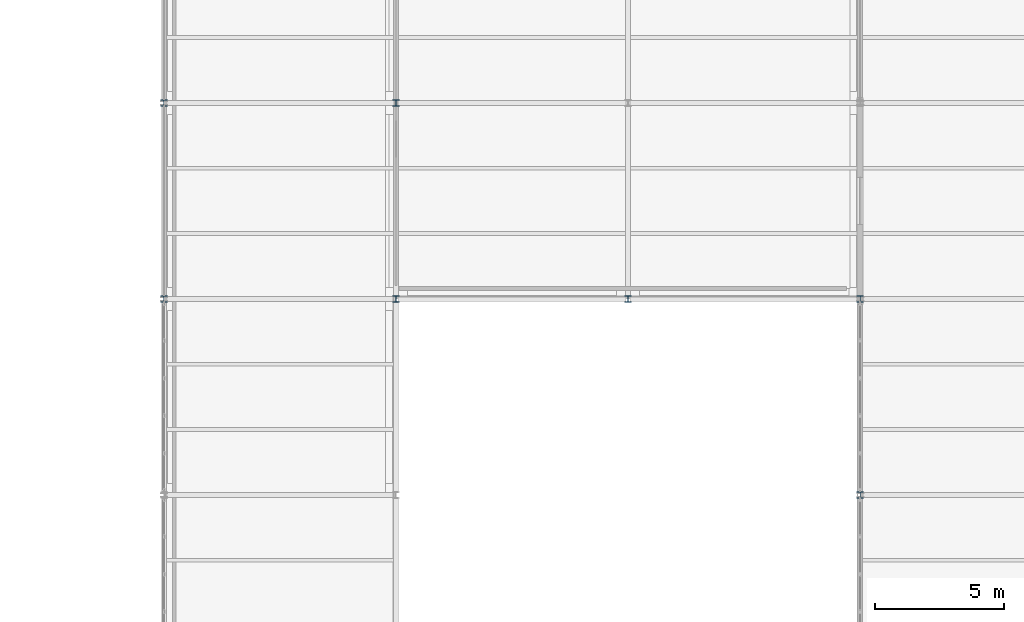
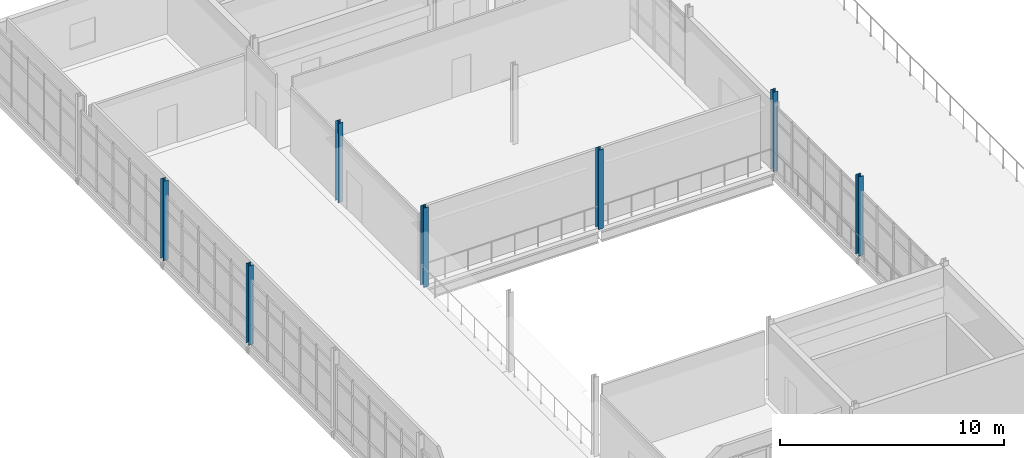
# One storey, part 4 of 48: 7 columns.
"""IFC4 building model written with IfcOpenShell, lengths in metres."""

from ifc_helpers import new_model, si_unit, direction, frame, origin, origin_2d, place, context, subcontext, project, spatial, i_section, extrude, material, material_profile, profile_set, type_object, element, save


model = new_model("IFC4")

# Units and contexts
model_context = context("Model", 3, precision=1e-05, world=origin(), true_north=direction((0.0, 1.0)))
body_context = subcontext(model_context, "Body", "Model", "MODEL_VIEW")
ifc_project = project(units=[si_unit("LENGTHUNIT", "METRE"), si_unit("AREAUNIT", "SQUARE_METRE"), si_unit("VOLUMEUNIT", "CUBIC_METRE"), si_unit("PLANEANGLEUNIT", "RADIAN"), si_unit("MASSUNIT", "GRAM", prefix="KILO")], contexts=[model_context])

# Site, building, storey
site_placement = place(None, origin())
site = spatial("IfcSite", under=ifc_project, at=site_placement, CompositionType="ELEMENT")
building_placement = place(site_placement, origin())
building = spatial("IfcBuilding", under=site, at=building_placement, Name="Caisbarro Railhouse Central Library", CompositionType="ELEMENT")
storey_placement = place(building_placement, frame((0.0, 0.0, 18.0)))
storey = spatial("IfcBuildingStorey", under=building, at=storey_placement, Name="L04", CompositionType="ELEMENT", Elevation=18.0)

# Columns
ifc_material = material(Name="Steel ASTM A572 Grade 50", Category="steel")
ifc_material_profile = material_profile(ifc_material, i_section(OverallWidth=0.25390625, OverallDepth=0.2529296875, WebThickness=0.008544921875, FlangeThickness=0.01416015625, FilletRadius=0.011962890625, at=origin_2d()), Name="W250X73.0")
ifc_profile_set = profile_set([ifc_material_profile], Name="Steel ASTM A572 Grade 50")
column_type = type_object("IfcColumnType", Name="COL-C08", PredefinedType="COLUMN", material=ifc_profile_set)
for number, where, z_axis, x_axis, name in (
    (1, (117.0, 91.199951171875, 0.0), (0.0, 0.0, 1.0), (1.0, 0.0, 0.0), "C08 column L04 (117.0,91.2)"),
    (2, (117.0, 98.800048828125, 0.0), (0.0, 0.0, 1.0), (1.0, 0.0, 0.0), "C08 column L04 (117.0,98.8)"),
    (3, (126.0, 91.199951171875, 0.0), (0.0, 0.0, 1.0), (1.0, 0.0, 0.0), "C08 column L04 (126.0,91.2)"),
    (4, (126.0, 98.800048828125, 0.0), (0.0, 0.0, 1.0), (1.0, 0.0, 0.0), "C08 column L04 (126.0,98.8)"),
    (5, (135.0, 91.199951171875, 0.0), (0.0, 0.0, 1.0), (1.0, 0.0, 0.0), "C08 column L04 (135.0,91.2)"),
    (6, (144.0, 83.60009765625, 0.0), (0.0, 0.0, 1.0), (1.0, 0.0, 0.0), "C08 column L04 (144.0,83.6)"),
    (7, (144.0, 91.199951171875, 0.0), (0.0, 0.0, 1.0), (1.0, 0.0, 0.0), "C08 column L04 (144.0,91.2)"),
):
    element("IfcColumn", number, at=place(storey_placement, frame(where, z_axis=z_axis, x_axis=x_axis)), inside=storey, type_object=column_type, Name=name, PredefinedType="COLUMN", context=body_context, shape_type="SweptSolid", body=[
        extrude(i_section(OverallWidth=0.25390625, OverallDepth=0.2529296875, WebThickness=0.008544921875, FlangeThickness=0.01416015625, FilletRadius=0.011962890625, at=origin_2d()), origin(), (0.0, 0.0, 1.0), 4.320068359375),
    ])

save(model, "model.ifc")
